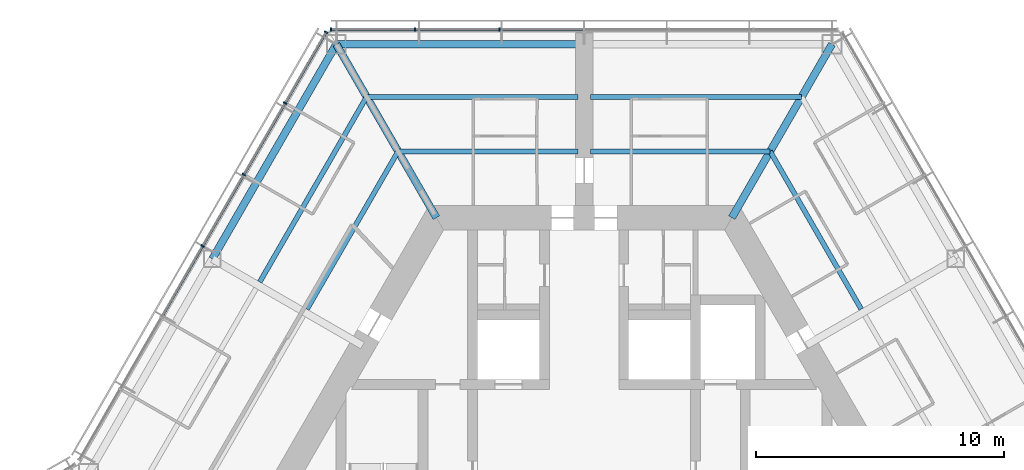
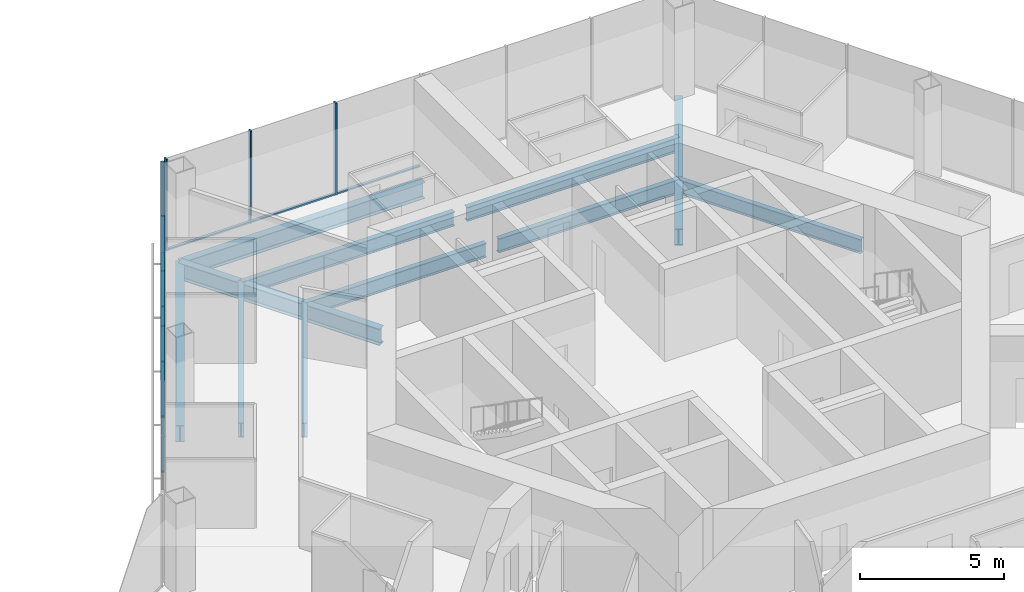
# One storey, part 7 of 19: 14 members, 11 beams, 2 elements without a shape of their own.
"""IFC4 building model written with IfcOpenShell, lengths in metres."""

from ifc_helpers import new_model, si_unit, direction, frame, origin, origin_2d, place, context, subcontext, project, spatial, rectangle, i_section, extrude, material, material_profile, profile_set, type_object, element, aggregate, save


model = new_model("IFC4")

# Units and contexts
model_context = context("Model", 3, precision=1e-05, world=origin(), true_north=direction((0.0, 1.0)))
body_context = subcontext(model_context, "Body", "Model", "MODEL_VIEW")
ifc_project = project(units=[si_unit("LENGTHUNIT", "METRE"), si_unit("AREAUNIT", "SQUARE_METRE"), si_unit("VOLUMEUNIT", "CUBIC_METRE"), si_unit("PLANEANGLEUNIT", "RADIAN"), si_unit("MASSUNIT", "GRAM", prefix="KILO")], contexts=[model_context])

# Site, building, storey
site_placement = place(None, origin())
site = spatial("IfcSite", under=ifc_project, at=site_placement, CompositionType="ELEMENT")
building_placement = place(site_placement, origin())
building = spatial("IfcBuilding", under=site, at=building_placement, Name="Kasaneha Research Tower", CompositionType="ELEMENT")
storey_placement = place(building_placement, frame((0.0, 0.0, 156.5)))
storey = spatial("IfcBuildingStorey", under=building, at=storey_placement, Name="L39", CompositionType="ELEMENT", Elevation=156.5)

# Beams
ifc_material_1 = material(Name="Steel SN490B", Category="steel")
ifc_material_profile_1 = material_profile(ifc_material_1, i_section(OverallWidth=0.199951171875, OverallDepth=0.60009765625, WebThickness=0.010986328125, FlangeThickness=0.01708984375, FilletRadius=0.012939453125, at=origin_2d()), Name="H-600x200x11x17")
ifc_profile_set_1 = profile_set([ifc_material_profile_1], Name="Steel SN490B")
beam_type_1 = type_object("IfcBeamType", Name="B1-3 secondary beam H-600x200x11x17", PredefinedType="JOIST", material=ifc_profile_set_1)
beam_1_placement = place(storey_placement, frame((7.505615234375, 13.0, -0.449951171875), z_axis=(0.499994443168, -0.866028611999, 0.0), x_axis=(0.866028611999, 0.499994443168, 0.0)))
element("IfcBeam", 1, at=beam_1_placement, inside=storey, type_object=beam_type_1, Name="Secondary beam RS030R1 L39", PredefinedType="JOIST", context=body_context, shape_type="SweptSolid", body=[
    extrude(i_section(OverallWidth=0.199951171875, OverallDepth=0.60009765625, WebThickness=0.010986328125, FlangeThickness=0.01708984375, FilletRadius=0.012939453125, at=origin_2d()), origin(), (0.0, 0.0, 1.0), 7.35546875),
])
beam_2_placement = place(storey_placement, frame((7.505615234375, 13.0, -0.449951171875), z_axis=(-1.0, 0.0, 0.0), x_axis=(0.0, -1.0, 0.0)))
element("IfcBeam", 2, at=beam_2_placement, inside=storey, type_object=beam_type_1, Name="Secondary beam RS090L1 L39", PredefinedType="JOIST", context=body_context, shape_type="SweptSolid", body=[
    extrude(i_section(OverallWidth=0.199951171875, OverallDepth=0.60009765625, WebThickness=0.010986328125, FlangeThickness=0.01708984375, FilletRadius=0.012939453125, at=origin_2d()), origin(), (0.0, 0.0, 1.0), 7.255615234375),
])
beam_3_placement = place(storey_placement, frame((8.775634765625, 15.199951171875, -0.449951171875), z_axis=(-1.0, 0.0, 0.0), x_axis=(0.0, -1.0, 0.0)))
element("IfcBeam", 3, at=beam_3_placement, inside=storey, type_object=beam_type_1, Name="Secondary beam RS090L2 L39", PredefinedType="JOIST", context=body_context, shape_type="SweptSolid", body=[
    extrude(i_section(OverallWidth=0.199951171875, OverallDepth=0.60009765625, WebThickness=0.010986328125, FlangeThickness=0.01708984375, FilletRadius=0.012939453125, at=origin_2d()), origin(), (0.0, 0.0, 1.0), 8.525634765625),
])
beam_4_placement = place(storey_placement, frame((-7.505615234375, 13.0, -0.449951171875), z_axis=(1.0, 0.0, 0.0), x_axis=(0.0, 1.0, 0.0)))
element("IfcBeam", 4, at=beam_4_placement, inside=storey, type_object=beam_type_1, Name="Secondary beam RS090R1 L39", PredefinedType="JOIST", context=body_context, shape_type="SweptSolid", body=[
    extrude(i_section(OverallWidth=0.199951171875, OverallDepth=0.60009765625, WebThickness=0.010986328125, FlangeThickness=0.01708984375, FilletRadius=0.012939453125, at=origin_2d()), origin(), (0.0, 0.0, 1.0), 7.255615234375),
])
beam_5_placement = place(storey_placement, frame((-8.775634765625, 15.199951171875, -0.449951171875), z_axis=(1.0, 0.0, 0.0), x_axis=(0.0, 1.0, 0.0)))
element("IfcBeam", 5, at=beam_5_placement, inside=storey, type_object=beam_type_1, Name="Secondary beam RS090R2 L39", PredefinedType="JOIST", context=body_context, shape_type="SweptSolid", body=[
    extrude(i_section(OverallWidth=0.199951171875, OverallDepth=0.60009765625, WebThickness=0.010986328125, FlangeThickness=0.01708984375, FilletRadius=0.012939453125, at=origin_2d()), origin(), (0.0, 0.0, 1.0), 8.525634765625),
])
beam_6_placement = place(storey_placement, frame((-7.505615234375, 13.0, -0.449951171875), z_axis=(-0.499994443168, -0.866028611999, 0.0), x_axis=(0.866028611999, -0.499994443168, 0.0)))
element("IfcBeam", 6, at=beam_6_placement, inside=storey, type_object=beam_type_1, Name="Secondary beam RS150L1 L39", PredefinedType="JOIST", context=body_context, shape_type="SweptSolid", body=[
    extrude(i_section(OverallWidth=0.199951171875, OverallDepth=0.60009765625, WebThickness=0.010986328125, FlangeThickness=0.01708984375, FilletRadius=0.012939453125, at=origin_2d()), origin(), (0.0, 0.0, 1.0), 7.35546875),
])
beam_7_placement = place(storey_placement, frame((-8.775634765625, 15.199951171875, -0.449951171875), z_axis=(-0.500017275495, -0.866015429543, 0.0), x_axis=(0.866015429543, -0.500017275495, 0.0)))
element("IfcBeam", 7, at=beam_7_placement, inside=storey, type_object=beam_type_1, Name="Secondary beam RS150L2 L39", PredefinedType="JOIST", context=body_context, shape_type="SweptSolid", body=[
    extrude(i_section(OverallWidth=0.199951171875, OverallDepth=0.60009765625, WebThickness=0.010986328125, FlangeThickness=0.01708984375, FilletRadius=0.012939453125, at=origin_2d()), origin(), (0.0, 0.0, 1.0), 8.625732421875),
])

# Curtain wall, members
ifc_material_2 = material(Name="Glass and aluminium", Category="aluminium")
curtain_wall_type = type_object("IfcCurtainWallType", Name="Mid-rise office curtain wall", PredefinedType="USERDEFINED", material=ifc_material_2)
curtain_wall_1_placement = place(storey_placement, origin())
curtain_wall_1 = element("IfcCurtainWall", 8, at=curtain_wall_1_placement, inside=storey, type_object=curtain_wall_type, Name="CW-O2 L39 run 07a", ObjectType="UNITISED CURTAIN WALL", PredefinedType="USERDEFINED")
ifc_material_3 = material(Name="Aluminium 6063-T6", Category="aluminium")
ifc_material_profile_2 = material_profile(ifc_material_3, rectangle(XDim=0.06005859375, YDim=0.14990234375, at=origin_2d()), Name="CW-O2 mullion 60x150")
ifc_profile_set_2 = profile_set([ifc_material_profile_2], Name="Aluminium 6063-T6")
member_type_1 = type_object("IfcMemberType", Name="CW-O2 mullion", PredefinedType="MULLION", material=ifc_profile_set_2)
member_1_placement = place(storey_placement, frame((-3.41552734375, 17.92041015625, 0.0), z_axis=(0.0, 0.0, 1.0), x_axis=(-1.0, 0.0, 0.0)))
member_1 = element("IfcMember", 9, at=member_1_placement, type_object=member_type_1, Name="CW-O2 mullion 5", PredefinedType="MULLION", context=body_context, shape_type="SweptSolid", body=[
    extrude(rectangle(XDim=0.06005859375, YDim=0.14990234375, at=origin_2d()), origin(), (0.0, 0.0, 1.0), 3.89990234375),
])
member_2_placement = place(storey_placement, frame((-6.8310546875, 17.92041015625, 0.0), z_axis=(0.0, 0.0, 1.0), x_axis=(-1.0, 0.0, 0.0)))
member_2 = element("IfcMember", 10, at=member_2_placement, type_object=member_type_1, Name="CW-O2 mullion 6", PredefinedType="MULLION", context=body_context, shape_type="SweptSolid", body=[
    extrude(rectangle(XDim=0.06005859375, YDim=0.14990234375, at=origin_2d()), origin(), (0.0, 0.0, 1.0), 3.89990234375),
])
member_3_placement = place(storey_placement, frame((-10.21630859375, 17.92041015625, 0.0), z_axis=(0.0, 0.0, 1.0), x_axis=(-1.0, 0.0, 0.0)))
member_3 = element("IfcMember", 11, at=member_3_placement, type_object=member_type_1, Name="CW-O2 mullion 7", PredefinedType="MULLION", context=body_context, shape_type="SweptSolid", body=[
    extrude(rectangle(XDim=0.06005859375, YDim=0.14990234375, at=origin_2d()), origin(), (0.0, 0.0, 1.0), 3.89990234375),
])

curtain_wall_2_placement = place(storey_placement, origin())
curtain_wall_2 = element("IfcCurtainWall", 12, at=curtain_wall_2_placement, inside=storey, type_object=curtain_wall_type, Name="CW-O2 L39 run 08a", ObjectType="UNITISED CURTAIN WALL", PredefinedType="USERDEFINED")
member_4_placement = place(storey_placement, frame((-10.411376953125, 17.807861328125, 0.0), z_axis=(0.0, 0.0, 1.0), x_axis=(-0.499999979232, -0.866025415775, 0.0)))
member_4 = element("IfcMember", 13, at=member_4_placement, type_object=member_type_1, Name="CW-O2 mullion 1", PredefinedType="MULLION", context=body_context, shape_type="SweptSolid", body=[
    extrude(rectangle(XDim=0.06005859375, YDim=0.14990234375, at=origin_2d()), origin(), (0.0, 0.0, 1.0), 3.89990234375),
])
member_5_placement = place(storey_placement, frame((-12.061767578125, 14.94921875, 0.0), z_axis=(0.0, 0.0, 1.0), x_axis=(-0.499999979232, -0.866025415775, 0.0)))
member_5 = element("IfcMember", 14, at=member_5_placement, type_object=member_type_1, Name="CW-O2 mullion 2", PredefinedType="MULLION", context=body_context, shape_type="SweptSolid", body=[
    extrude(rectangle(XDim=0.06005859375, YDim=0.14990234375, at=origin_2d()), origin(), (0.0, 0.0, 1.0), 3.89990234375),
])
member_6_placement = place(storey_placement, frame((-13.727294921875, 12.064453125, 0.0), z_axis=(0.0, 0.0, 1.0), x_axis=(-0.499999979232, -0.866025415775, 0.0)))
member_6 = element("IfcMember", 15, at=member_6_placement, type_object=member_type_1, Name="CW-O2 mullion 3", PredefinedType="MULLION", context=body_context, shape_type="SweptSolid", body=[
    extrude(rectangle(XDim=0.06005859375, YDim=0.14990234375, at=origin_2d()), origin(), (0.0, 0.0, 1.0), 3.89990234375),
])
member_7_placement = place(storey_placement, frame((-15.392822265625, 9.179931640625, 0.0), z_axis=(0.0, 0.0, 1.0), x_axis=(-0.499999979232, -0.866025415775, 0.0)))
member_7 = element("IfcMember", 16, at=member_7_placement, type_object=member_type_1, Name="CW-O2 mullion 4", PredefinedType="MULLION", context=body_context, shape_type="SweptSolid", body=[
    extrude(rectangle(XDim=0.06005859375, YDim=0.14990234375, at=origin_2d()), origin(), (0.0, 0.0, 1.0), 3.89990234375),
])

# Member
ifc_material_4 = material(Name="Aluminium 6063-T6", Category="aluminium")
ifc_material_profile_3 = material_profile(ifc_material_4, rectangle(XDim=0.110107421875, YDim=0.06005859375, at=origin_2d()), Name="CW-O2 transom 110x60")
ifc_profile_set_3 = profile_set([ifc_material_profile_3], Name="Aluminium 6063-T6")
member_type_2 = type_object("IfcMemberType", Name="CW-O2 transom", PredefinedType="USERDEFINED", material=ifc_profile_set_3)
member_8_placement = place(storey_placement, frame((-0.030029296875, 17.92041015625, 0.030029296875), z_axis=(-1.0, 0.0, 0.0), x_axis=(0.0, -1.0, 0.0)))
member_8 = element("IfcMember", 17, at=member_8_placement, type_object=member_type_2, Name="CW-O2 transom 4", ObjectType="TRANSOM", PredefinedType="USERDEFINED", context=body_context, shape_type="SweptSolid", body=[
    extrude(rectangle(XDim=0.110107421875, YDim=0.06005859375, at=origin_2d()), origin(), (0.0, 0.0, 1.0), 3.35546875),
])

member_9_placement = place(storey_placement, frame((-3.445556640625, 17.92041015625, 0.030029296875), z_axis=(-1.0, 0.0, 0.0), x_axis=(0.0, -1.0, 0.0)))
member_9 = element("IfcMember", 18, at=member_9_placement, type_object=member_type_2, Name="CW-O2 transom 5", ObjectType="TRANSOM", PredefinedType="USERDEFINED", context=body_context, shape_type="SweptSolid", body=[
    extrude(rectangle(XDim=0.110107421875, YDim=0.06005859375, at=origin_2d()), origin(), (0.0, 0.0, 1.0), 3.35546875),
])

member_10_placement = place(storey_placement, frame((-6.86083984375, 17.92041015625, 0.030029296875), z_axis=(-1.0, 0.0, 0.0), x_axis=(0.0, -1.0, 0.0)))
member_10 = element("IfcMember", 19, at=member_10_placement, type_object=member_type_2, Name="CW-O2 transom 6", ObjectType="TRANSOM", PredefinedType="USERDEFINED", context=body_context, shape_type="SweptSolid", body=[
    extrude(rectangle(XDim=0.110107421875, YDim=0.06005859375, at=origin_2d()), origin(), (0.0, 0.0, 1.0), 3.32568359375),
])

aggregate(curtain_wall_1, [member_1, member_2, member_3, member_8, member_9, member_10])

member_11_placement = place(storey_placement, frame((-10.426513671875, 17.781982421875, 0.030029296875), z_axis=(-0.499955025697, -0.866051368154, 0.0), x_axis=(0.866051368154, -0.499955025697, 0.0)))
member_11 = element("IfcMember", 20, at=member_11_placement, type_object=member_type_2, Name="CW-O2 transom 1", ObjectType="TRANSOM", PredefinedType="USERDEFINED", context=body_context, shape_type="SweptSolid", body=[
    extrude(rectangle(XDim=0.110107421875, YDim=0.06005859375, at=origin_2d()), origin(), (0.0, 0.0, 1.0), 3.240966796875),
])

member_12_placement = place(storey_placement, frame((-12.076904296875, 14.92333984375, 0.030029296875), z_axis=(-0.500000270186, -0.866025247793, 0.0), x_axis=(0.866025247793, -0.500000270186, 0.0)))
member_12 = element("IfcMember", 21, at=member_12_placement, type_object=member_type_2, Name="CW-O2 transom 2", ObjectType="TRANSOM", PredefinedType="USERDEFINED", context=body_context, shape_type="SweptSolid", body=[
    extrude(rectangle(XDim=0.110107421875, YDim=0.06005859375, at=origin_2d()), origin(), (0.0, 0.0, 1.0), 3.27099609375),
])

member_13_placement = place(storey_placement, frame((-13.742431640625, 12.03857421875, 0.030029296875), z_axis=(-0.500000270186, -0.866025247793, 0.0), x_axis=(0.866025247793, -0.500000270186, 0.0)))
member_13 = element("IfcMember", 22, at=member_13_placement, type_object=member_type_2, Name="CW-O2 transom 3", ObjectType="TRANSOM", PredefinedType="USERDEFINED", context=body_context, shape_type="SweptSolid", body=[
    extrude(rectangle(XDim=0.110107421875, YDim=0.06005859375, at=origin_2d()), origin(), (0.0, 0.0, 1.0), 3.27099609375),
])

member_14_placement = place(storey_placement, frame((-15.40771484375, 9.15380859375, 0.030029296875), z_axis=(-0.50003259116, -0.866006586452, 0.0), x_axis=(0.866006586452, -0.50003259116, 0.0)))
member_14 = element("IfcMember", 23, at=member_14_placement, type_object=member_type_2, Name="CW-O2 transom 4", ObjectType="TRANSOM", PredefinedType="USERDEFINED", context=body_context, shape_type="SweptSolid", body=[
    extrude(rectangle(XDim=0.110107421875, YDim=0.06005859375, at=origin_2d()), origin(), (0.0, 0.0, 1.0), 3.270751953125),
])

aggregate(curtain_wall_2, [member_4, member_5, member_6, member_7, member_11, member_12, member_13, member_14])

# Beams
ifc_material_5 = material(Name="Steel SN490B", Category="steel")
ifc_material_profile_4 = material_profile(ifc_material_5, i_section(OverallWidth=0.300048828125, OverallDepth=0.699951171875, WebThickness=0.012939453125, FlangeThickness=0.02392578125, FilletRadius=0.01806640625, at=origin_2d()), Name="H-700x300x13x24")
ifc_profile_set_4 = profile_set([ifc_material_profile_4], Name="Steel SN490B")
beam_type_2 = type_object("IfcBeamType", Name="G1-3 radial girder H-700x300x13x24", PredefinedType="BEAM", material=ifc_profile_set_4)
for number, where, z_axis, x_axis, name in (
    (24, (5.961181640625, 10.324951171875, -0.5), (0.49999105496, 0.866030568144, 0.0), (-0.866030568144, 0.49999105496, 0.0), "Radial girder RV060 L39"),
    (25, (-5.961181640625, 10.324951171875, -0.5), (-0.49999105496, 0.866030568144, 0.0), (-0.866030568144, -0.49999105496, 0.0), "Radial girder RV120 L39"),
):
    element("IfcBeam", number, at=place(storey_placement, frame(where, z_axis=z_axis, x_axis=x_axis)), inside=storey, type_object=beam_type_2, Name=name, PredefinedType="BEAM", context=body_context, shape_type="SweptSolid", body=[
        extrude(i_section(OverallWidth=0.300048828125, OverallDepth=0.699951171875, WebThickness=0.012939453125, FlangeThickness=0.02392578125, FilletRadius=0.01806640625, at=origin_2d()), origin(), (0.0, 0.0, 1.0), 8.077880859375),
    ])
ifc_material_6 = material(Name="Steel SN490B", Category="steel")
ifc_material_profile_5 = material_profile(ifc_material_6, i_section(OverallWidth=0.300048828125, OverallDepth=0.69189453125, WebThickness=0.012939453125, FlangeThickness=0.02001953125, FilletRadius=0.01806640625, at=origin_2d()), Name="H-692x300x13x20")
ifc_profile_set_5 = profile_set([ifc_material_profile_5], Name="Steel SN490B")
beam_type_3 = type_object("IfcBeamType", Name="G3-3 plate edge girder H-692x300x13x20", PredefinedType="BEAM", material=ifc_profile_set_5)
beam_8_placement = place(storey_placement, frame((-10.0, 17.320556640625, -0.49609375), z_axis=(1.0, 0.0, 0.0), x_axis=(0.0, 1.0, 0.0)))
element("IfcBeam", 26, at=beam_8_placement, inside=storey, type_object=beam_type_3, Name="Plate edge girder PEAN L39", PredefinedType="BEAM", context=body_context, shape_type="SweptSolid", body=[
    extrude(i_section(OverallWidth=0.300048828125, OverallDepth=0.69189453125, WebThickness=0.012939453125, FlangeThickness=0.02001953125, FilletRadius=0.01806640625, at=origin_2d()), origin(), (0.0, 0.0, 1.0), 9.75),
])
ifc_material_7 = material(Name="Steel SN490B", Category="steel")
ifc_material_profile_6 = material_profile(ifc_material_7, i_section(OverallWidth=0.300048828125, OverallDepth=0.69189453125, WebThickness=0.012939453125, FlangeThickness=0.02001953125, FilletRadius=0.01806640625, at=origin_2d()), Name="H-692x300x13x20")
ifc_profile_set_6 = profile_set([ifc_material_profile_6], Name="Steel SN490B")
beam_type_4 = type_object("IfcBeamType", Name="SB1-3 spandrel beam H-692x300x13x20", PredefinedType="SPANDREL", material=ifc_profile_set_6)
beam_9_placement = place(storey_placement, frame((-10.0, 17.320556640625, -0.49609375), z_axis=(-0.499993662806, -0.866029062534, 0.0), x_axis=(0.866029062534, -0.499993662806, 0.0)))
element("IfcBeam", 27, at=beam_9_placement, inside=storey, type_object=beam_type_4, Name="Spandrel beam SR150L L39", PredefinedType="SPANDREL", context=body_context, shape_type="SweptSolid", body=[
    extrude(i_section(OverallWidth=0.300048828125, OverallDepth=0.69189453125, WebThickness=0.012939453125, FlangeThickness=0.02001953125, FilletRadius=0.01806640625, at=origin_2d()), origin(), (0.0, 0.0, 1.0), 10.000244140625),
])

save(model, "model.ifc")
